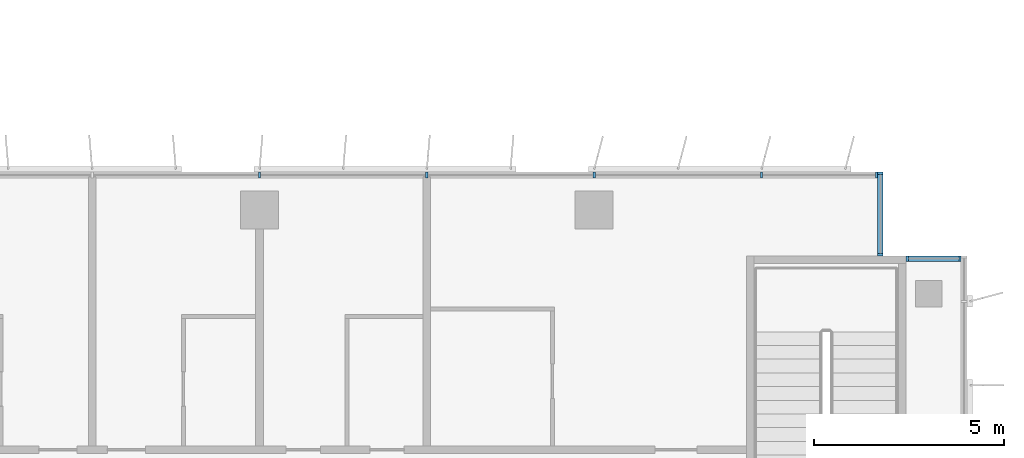
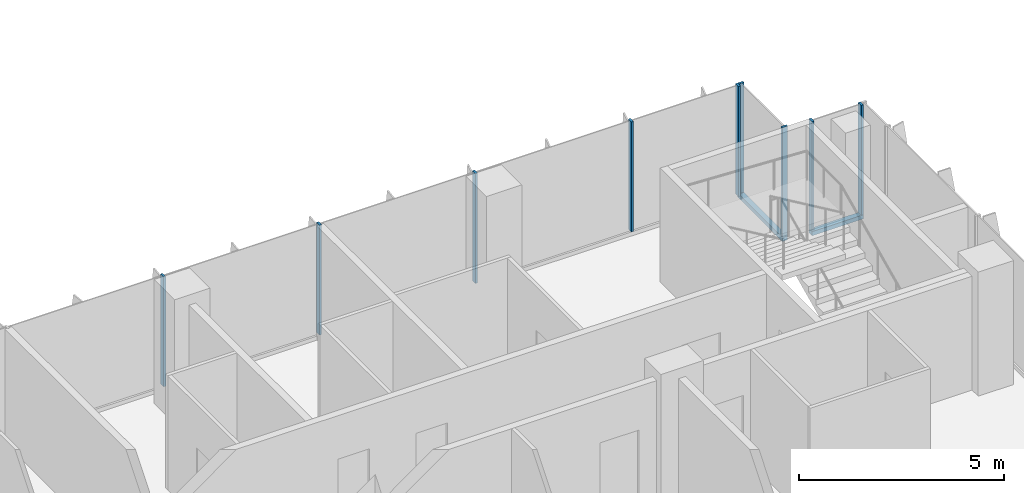
# One storey, part 4 of 21: 11 members, 3 elements without a shape of their own.
"""IFC4 building model written with IfcOpenShell, lengths in metres."""

from ifc_helpers import new_model, si_unit, direction, frame, origin, origin_2d, place, context, subcontext, project, spatial, rectangle, extrude, source, transform, mapped, material, material_profile, profile_set, type_object, element, aggregate, save


model = new_model("IFC4")

# Units and contexts
model_context = context("Model", 3, precision=1e-05, world=origin(), true_north=direction((0.0, 1.0)))
body_context = subcontext(model_context, "Body", "Model", "MODEL_VIEW")
ifc_project = project(units=[si_unit("LENGTHUNIT", "METRE"), si_unit("AREAUNIT", "SQUARE_METRE"), si_unit("VOLUMEUNIT", "CUBIC_METRE"), si_unit("PLANEANGLEUNIT", "RADIAN"), si_unit("MASSUNIT", "GRAM", prefix="KILO")], contexts=[model_context])

# Site, building, storey
site_placement = place(None, origin())
site = spatial("IfcSite", under=ifc_project, at=site_placement, CompositionType="ELEMENT")
building_placement = place(site_placement, origin())
building = spatial("IfcBuilding", under=site, at=building_placement, Name="Kemantara Hotel Tower", CompositionType="ELEMENT")
storey_placement = place(building_placement, frame((0.0, 0.0, 171.60009765625)))
storey = spatial("IfcBuildingStorey", under=building, at=storey_placement, Name="L42", CompositionType="ELEMENT", Elevation=171.60009765625)

# Curtain wall, member
ifc_material_1 = material(Name="Low-E tinted double insulated glass 36 mm", Category="glass")
curtain_wall_type = type_object("IfcCurtainWallType", Name="TOWER CURTAIN WALL, FRONT FACES", PredefinedType="USERDEFINED", material=ifc_material_1)
curtain_wall_1_placement = place(storey_placement, origin())
curtain_wall_1 = element("IfcCurtainWall", 1, at=curtain_wall_1_placement, inside=storey, type_object=curtain_wall_type, Name="CW4 L42 T3-R12-1", ObjectType="TOWER CURTAIN WALL, FRONT FACES", PredefinedType="USERDEFINED")
ifc_material_2 = material(Name="Aluminium 6063-T6 bronze anodised", Category="aluminium")
ifc_material_profile_1 = material_profile(ifc_material_2, rectangle(XDim=0.14990234375, YDim=0.1201171875, at=origin_2d()), Name="TOWER CURTAIN WALL, FRONT FACES TRANSOM")
ifc_profile_set_1 = profile_set([ifc_material_profile_1], Name="Aluminium 6063-T6 bronze anodised")
member_type_1 = type_object("IfcMemberType", Name="TOWER CURTAIN WALL, FRONT FACES TRANSOM", PredefinedType="USERDEFINED", material=ifc_profile_set_1)
member_1_placement = place(storey_placement, frame((63.449951171875, 19.72509765625, 0.059814453125), z_axis=(-1.0, 0.0, 0.0), x_axis=(0.0, -1.0, 0.0)))
member_1 = element("IfcMember", 2, at=member_1_placement, type_object=member_type_1, Name="CW4 sill transom T3-R12-1", ObjectType="TRANSOM", PredefinedType="USERDEFINED", context=body_context, shape_type="SweptSolid", body=[
    extrude(rectangle(XDim=0.14990234375, YDim=0.1201171875, at=origin_2d()), origin(), (0.0, 0.0, 1.0), 1.449951171875),
])

curtain_wall_2_placement = place(storey_placement, origin())
curtain_wall_2 = element("IfcCurtainWall", 3, at=curtain_wall_2_placement, inside=storey, type_object=curtain_wall_type, Name="CW4 L42 T3-R13-1", ObjectType="TOWER CURTAIN WALL, FRONT FACES", PredefinedType="USERDEFINED")
member_2_placement = place(storey_placement, frame((61.324951171875, 19.800048828125, 0.059814453125), z_axis=(0.0, 1.0, 0.0), x_axis=(-1.0, 0.0, 0.0)))
member_2 = element("IfcMember", 4, at=member_2_placement, type_object=member_type_1, Name="CW4 sill transom T3-R13-1", ObjectType="TRANSOM", PredefinedType="USERDEFINED", context=body_context, shape_type="SweptSolid", body=[
    extrude(rectangle(XDim=0.14990234375, YDim=0.1201171875, at=origin_2d()), origin(), (0.0, 0.0, 1.0), 2.199951171875),
])

# Curtain wall, members
curtain_wall_3_placement = place(storey_placement, origin())
curtain_wall_3 = element("IfcCurtainWall", 5, at=curtain_wall_3_placement, inside=storey, type_object=curtain_wall_type, Name="CW4 L42 T3-R14-1", ObjectType="TOWER CURTAIN WALL, FRONT FACES", PredefinedType="USERDEFINED")
ifc_material_profile_2 = material_profile(ifc_material_2, rectangle(XDim=0.14990234375, YDim=0.06005859375, at=origin_2d()), Name="TOWER CURTAIN WALL, FRONT FACES MULLION")
ifc_profile_set_2 = profile_set([ifc_material_profile_2], Name="Aluminium 6063-T6 bronze anodised")
member_type_2 = type_object("IfcMemberType", Name="TOWER CURTAIN WALL, FRONT FACES MULLION", PredefinedType="MULLION", material=ifc_profile_set_2)
shared_shape = source(origin(), body_context, "Body", "SweptSolid", [
    extrude(rectangle(XDim=0.14990234375, YDim=0.06005859375, at=origin_2d()), origin(), (0.0, 0.0, 1.0), 3.280029296875),
])
member_3_placement = place(storey_placement, frame((61.219970703125, 21.925048828125, 0.119873046875), z_axis=(0.0, 0.0, 1.0), x_axis=(0.0, -1.0, 0.0)))
member_3 = element("IfcMember", 6, at=member_3_placement, type_object=member_type_2, Name="CW4 mullion T3-R14-1.1", PredefinedType="MULLION", context=body_context, shape_type="MappedRepresentation", body=[
    mapped(shared_shape, transform((0.0, 0.0, 0.0))),
])
member_4_placement = place(storey_placement, frame((58.199951171875, 21.925048828125, 0.119873046875), z_axis=(0.0, 0.0, 1.0), x_axis=(0.0, -1.0, 0.0)))
member_4 = element("IfcMember", 7, at=member_4_placement, type_object=member_type_2, Name="CW4 mullion T3-R14-1.2", PredefinedType="MULLION", context=body_context, shape_type="MappedRepresentation", body=[
    mapped(shared_shape, transform((0.0, 0.0, 0.0))),
])
member_5_placement = place(storey_placement, frame((53.800048828125, 21.925048828125, 0.119873046875), z_axis=(0.0, 0.0, 1.0), x_axis=(0.0, -1.0, 0.0)))
member_5 = element("IfcMember", 8, at=member_5_placement, type_object=member_type_2, Name="CW4 mullion T3-R14-1.3", PredefinedType="MULLION", context=body_context, shape_type="MappedRepresentation", body=[
    mapped(shared_shape, transform((0.0, 0.0, 0.0))),
])
member_6_placement = place(storey_placement, frame((49.39990234375, 21.925048828125, 0.119873046875), z_axis=(0.0, 0.0, 1.0), x_axis=(0.0, -1.0, 0.0)))
member_6 = element("IfcMember", 9, at=member_6_placement, type_object=member_type_2, Name="CW4 mullion T3-R14-1.4", PredefinedType="MULLION", context=body_context, shape_type="MappedRepresentation", body=[
    mapped(shared_shape, transform((0.0, 0.0, 0.0))),
])
member_7_placement = place(storey_placement, frame((45.0, 21.925048828125, 0.119873046875), z_axis=(0.0, 0.0, 1.0), x_axis=(0.0, -1.0, 0.0)))
member_7 = element("IfcMember", 10, at=member_7_placement, type_object=member_type_2, Name="CW4 mullion T3-R14-1.5", PredefinedType="MULLION", context=body_context, shape_type="MappedRepresentation", body=[
    mapped(shared_shape, transform((0.0, 0.0, 0.0))),
])
aggregate(curtain_wall_3, [member_3, member_4, member_5, member_6, member_7])

# Member
member_8_placement = place(storey_placement, frame((63.419921875, 19.72509765625, 0.119873046875), z_axis=(0.0, 0.0, 1.0), x_axis=(0.0, -1.0, 0.0)))
member_8 = element("IfcMember", 11, at=member_8_placement, type_object=member_type_2, Name="CW4 mullion T3-R12-1.1", PredefinedType="MULLION", context=body_context, shape_type="MappedRepresentation", body=[
    mapped(shared_shape, transform((0.0, 0.0, 0.0))),
])

member_9_placement = place(storey_placement, frame((62.030029296875, 19.72509765625, 0.119873046875), z_axis=(0.0, 0.0, 1.0), x_axis=(0.0, -1.0, 0.0)))
member_9 = element("IfcMember", 12, at=member_9_placement, type_object=member_type_2, Name="CW4 mullion T3-R12-1.2", PredefinedType="MULLION", context=body_context, shape_type="MappedRepresentation", body=[
    mapped(shared_shape, transform((0.0, 0.0, 0.0))),
])

aggregate(curtain_wall_1, [member_1, member_8, member_9])

member_10_placement = place(storey_placement, frame((61.324951171875, 19.830078125, 0.119873046875), z_axis=(0.0, 0.0, 1.0), x_axis=(-1.0, 0.0, 0.0)))
member_10 = element("IfcMember", 13, at=member_10_placement, type_object=member_type_2, Name="CW4 mullion T3-R13-1.1", PredefinedType="MULLION", context=body_context, shape_type="MappedRepresentation", body=[
    mapped(shared_shape, transform((0.0, 0.0, 0.0))),
])

member_11_placement = place(storey_placement, frame((61.324951171875, 21.969970703125, 0.119873046875), z_axis=(0.0, 0.0, 1.0), x_axis=(-1.0, 0.0, 0.0)))
member_11 = element("IfcMember", 14, at=member_11_placement, type_object=member_type_2, Name="CW4 mullion T3-R13-1.2", PredefinedType="MULLION", context=body_context, shape_type="MappedRepresentation", body=[
    mapped(shared_shape, transform((0.0, 0.0, 0.0))),
])

aggregate(curtain_wall_2, [member_2, member_10, member_11])

save(model, "model.ifc")
